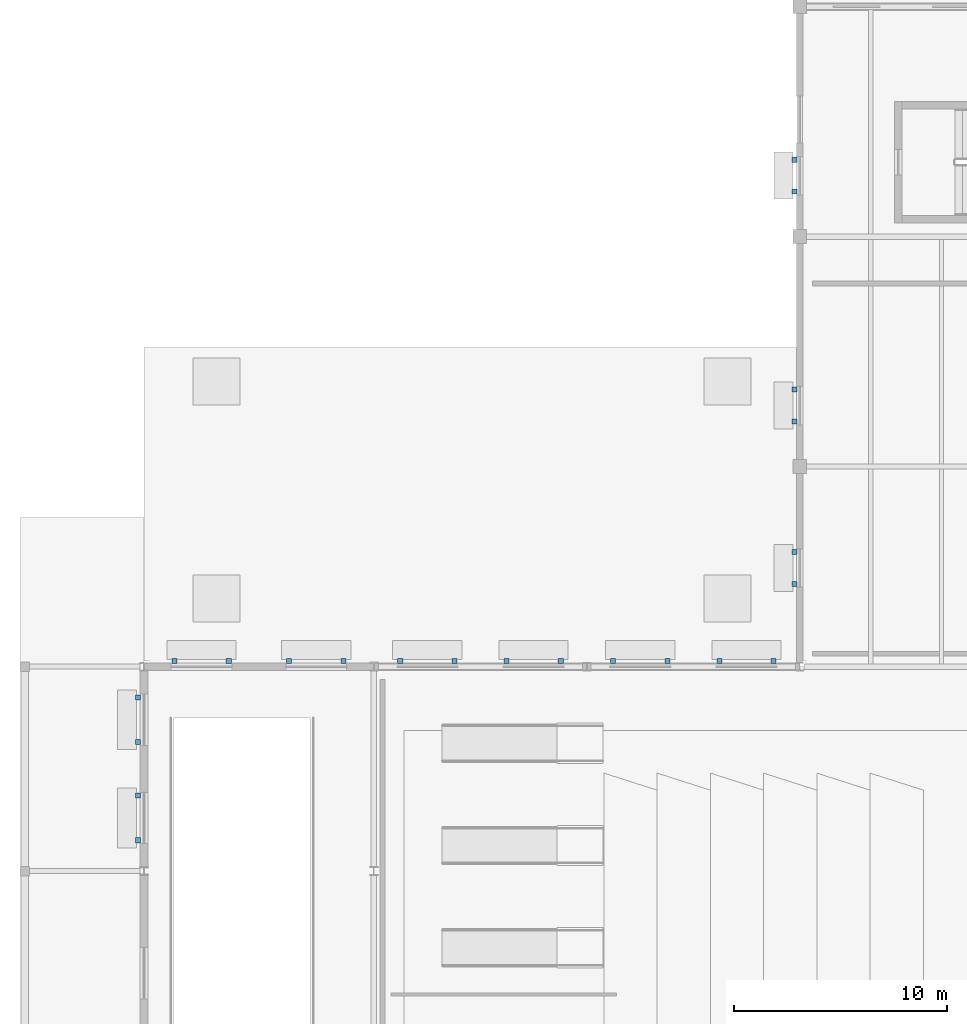
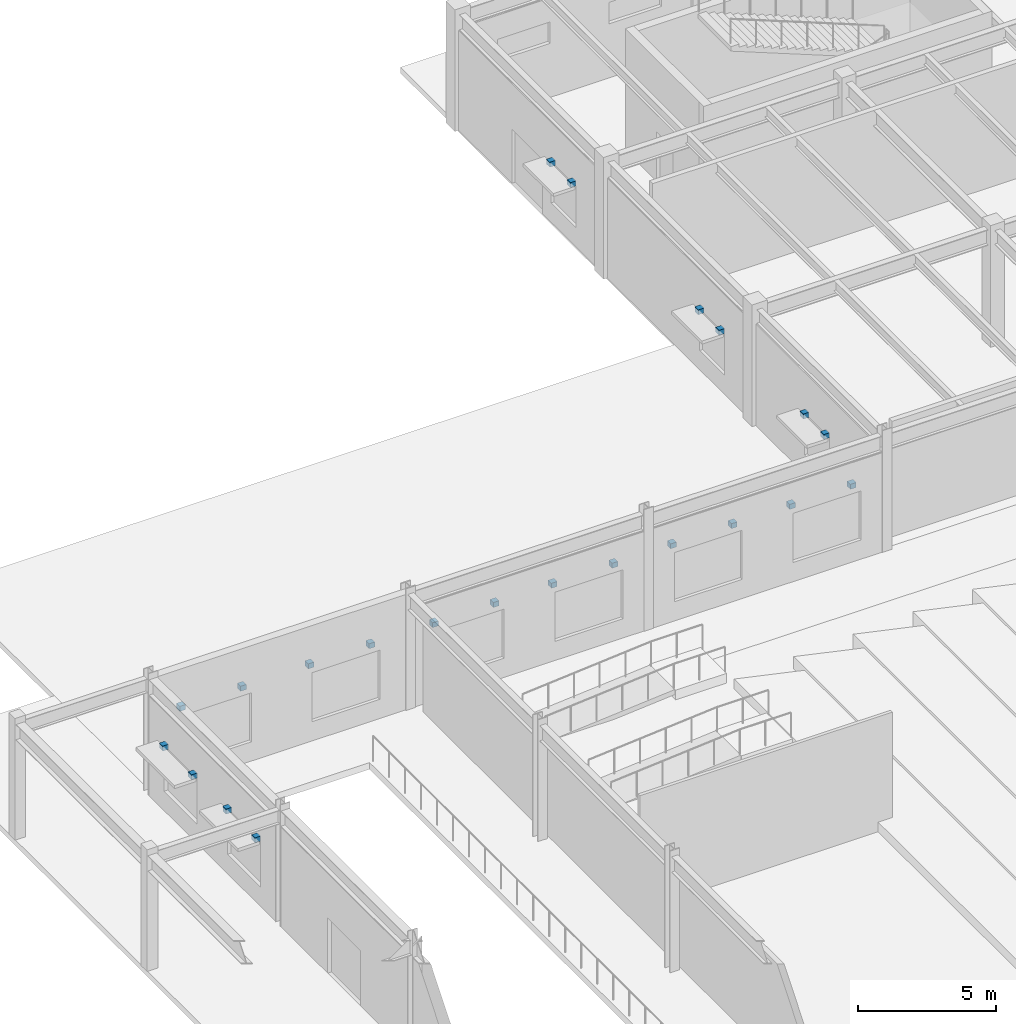
# One storey, part 40 of 54: 22 discrete accessories.
"""IFC4 building model written with IfcOpenShell, lengths in metres."""

from ifc_helpers import new_model, si_unit, direction, frame, origin, origin_2d, place, context, subcontext, project, spatial, rectangle, extrude, material, type_object, element, save


model = new_model("IFC4")

# Units and contexts
model_context = context("Model", 3, precision=1e-05, world=origin(), true_north=direction((0.0, 1.0)))
body_context = subcontext(model_context, "Body", "Model", "MODEL_VIEW")
ifc_project = project(units=[si_unit("LENGTHUNIT", "METRE"), si_unit("AREAUNIT", "SQUARE_METRE"), si_unit("VOLUMEUNIT", "CUBIC_METRE"), si_unit("PLANEANGLEUNIT", "RADIAN"), si_unit("MASSUNIT", "GRAM", prefix="KILO")], contexts=[model_context])

# Site, building, storey
site_placement = place(None, origin())
site = spatial("IfcSite", under=ifc_project, at=site_placement, CompositionType="ELEMENT")
building_placement = place(site_placement, origin())
building = spatial("IfcBuilding", under=site, at=building_placement, Name="Veldera Park Congress Hotel", CompositionType="ELEMENT")
storey_placement = place(building_placement, origin())
storey = spatial("IfcBuildingStorey", under=building, at=storey_placement, Name="L00", CompositionType="ELEMENT", Elevation=0.0)

# Discrete accessories
ifc_material = material(Name="Steel ASTM A992 Gr.50", Category="steel")
discrete_accessory_type = type_object("IfcDiscreteAccessoryType", Name="ACC-BRK160", PredefinedType="BRACKET", material=ifc_material)
for number, where, z_axis, x_axis, name in (
    (1, (-78.47998046875, 25.555908203125, 2.8701171875), (0.0, 0.0, 1.0), (0.0, -1.0, 0.0), "Shading Steel Outrigger Bracket 1L"),
    (2, (-78.47998046875, 23.455810546875, 2.8701171875), (0.0, 0.0, 1.0), (0.0, -1.0, 0.0), "Shading Steel Outrigger Bracket 1R"),
    (3, (-78.47998046875, 20.9443359375, 2.8701171875), (0.0, 0.0, 1.0), (0.0, -1.0, 0.0), "Shading Steel Outrigger Bracket 2L"),
    (4, (-78.47998046875, 18.84423828125, 2.8701171875), (0.0, 0.0, 1.0), (0.0, -1.0, 0.0), "Shading Steel Outrigger Bracket 2R"),
    (5, (-48.629150390625, 27.260009765625, 3.0), (0.0, 0.0, 1.0), (-1.0, 0.0, 0.0), "Shading Steel Outrigger Bracket 6L"),
    (6, (-51.17919921875, 27.260009765625, 3.0), (0.0, 0.0, 1.0), (-1.0, 0.0, 0.0), "Shading Steel Outrigger Bracket 6R"),
    (7, (-53.62060546875, 27.260009765625, 3.0), (0.0, 0.0, 1.0), (-1.0, 0.0, 0.0), "Shading Steel Outrigger Bracket 7L"),
    (8, (-56.170654296875, 27.260009765625, 3.0), (0.0, 0.0, 1.0), (-1.0, 0.0, 0.0), "Shading Steel Outrigger Bracket 7R"),
    (9, (-58.628173828125, 27.260009765625, 3.0), (0.0, 0.0, 1.0), (-1.0, 0.0, 0.0), "Shading Steel Outrigger Bracket 8L"),
    (10, (-61.17822265625, 27.260009765625, 3.0), (0.0, 0.0, 1.0), (-1.0, 0.0, 0.0), "Shading Steel Outrigger Bracket 8R"),
    (11, (-63.617431640625, 27.260009765625, 3.0), (0.0, 0.0, 1.0), (-1.0, 0.0, 0.0), "Shading Steel Outrigger Bracket 9L"),
    (12, (-66.16748046875, 27.260009765625, 3.0), (0.0, 0.0, 1.0), (-1.0, 0.0, 0.0), "Shading Steel Outrigger Bracket 9R"),
    (13, (-68.832763671875, 27.260009765625, 3.0), (0.0, 0.0, 1.0), (-1.0, 0.0, 0.0), "Shading Steel Outrigger Bracket 10L"),
    (14, (-71.3828125, 27.260009765625, 3.0), (0.0, 0.0, 1.0), (-1.0, 0.0, 0.0), "Shading Steel Outrigger Bracket 10R"),
    (15, (-74.22265625, 27.260009765625, 3.0), (0.0, 0.0, 1.0), (-1.0, 0.0, 0.0), "Shading Steel Outrigger Bracket 11L"),
    (16, (-76.772705078125, 27.260009765625, 3.0), (0.0, 0.0, 1.0), (-1.0, 0.0, 0.0), "Shading Steel Outrigger Bracket 11R"),
    (17, (-47.64990234375, 50.8115234375, 2.669921875), (0.0, 0.0, 1.0), (0.0, -1.0, 0.0), "Shading Steel Outrigger Bracket 12L"),
    (18, (-47.64990234375, 49.3115234375, 2.669921875), (0.0, 0.0, 1.0), (0.0, -1.0, 0.0), "Shading Steel Outrigger Bracket 12R"),
    (19, (-47.64990234375, 40.011474609375, 2.669921875), (0.0, 0.0, 1.0), (0.0, -1.0, 0.0), "Shading Steel Outrigger Bracket 13L"),
    (20, (-47.64990234375, 38.511474609375, 2.669921875), (0.0, 0.0, 1.0), (0.0, -1.0, 0.0), "Shading Steel Outrigger Bracket 13R"),
    (21, (-47.64990234375, 32.38427734375, 2.669921875), (0.0, 0.0, 1.0), (0.0, -1.0, 0.0), "Shading Steel Outrigger Bracket 14L"),
    (22, (-47.64990234375, 30.88427734375, 2.669921875), (0.0, 0.0, 1.0), (0.0, -1.0, 0.0), "Shading Steel Outrigger Bracket 14R"),
):
    element("IfcDiscreteAccessory", number, at=place(storey_placement, frame(where, z_axis=z_axis, x_axis=x_axis)), inside=storey, type_object=discrete_accessory_type, Name=name, PredefinedType="BRACKET", context=body_context, shape_type="SweptSolid", body=[
        extrude(rectangle(XDim=0.239990234375, YDim=0.239990234375, at=origin_2d()), origin(), (0.0, 0.0, 1.0), 0.219970703125),
    ])

save(model, "model.ifc")
